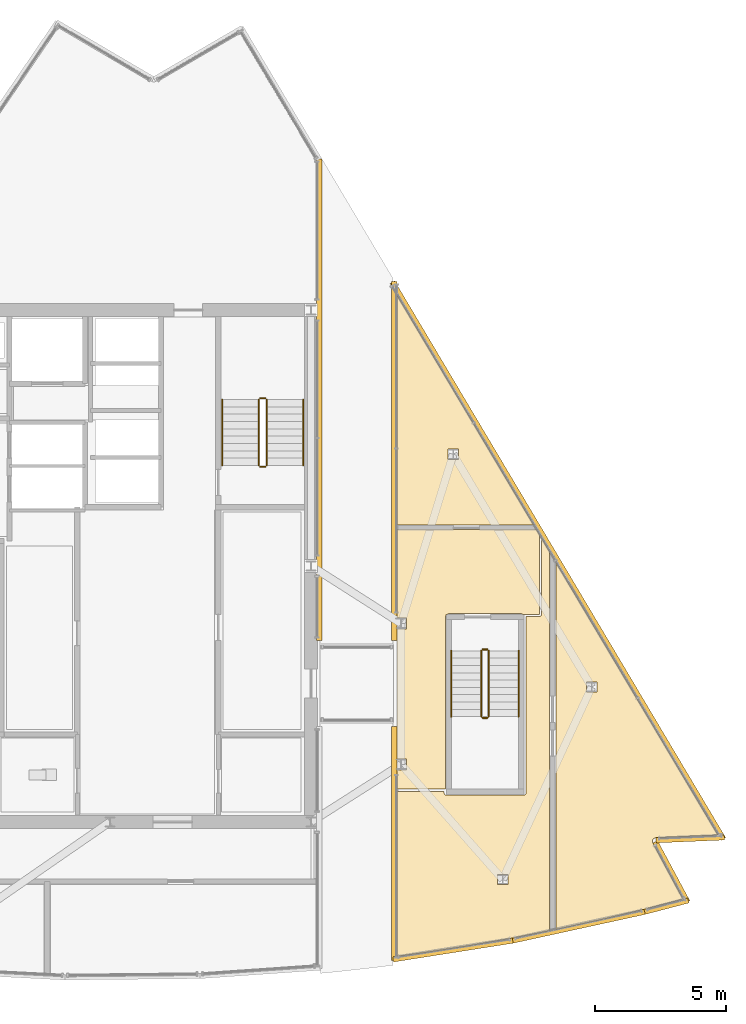
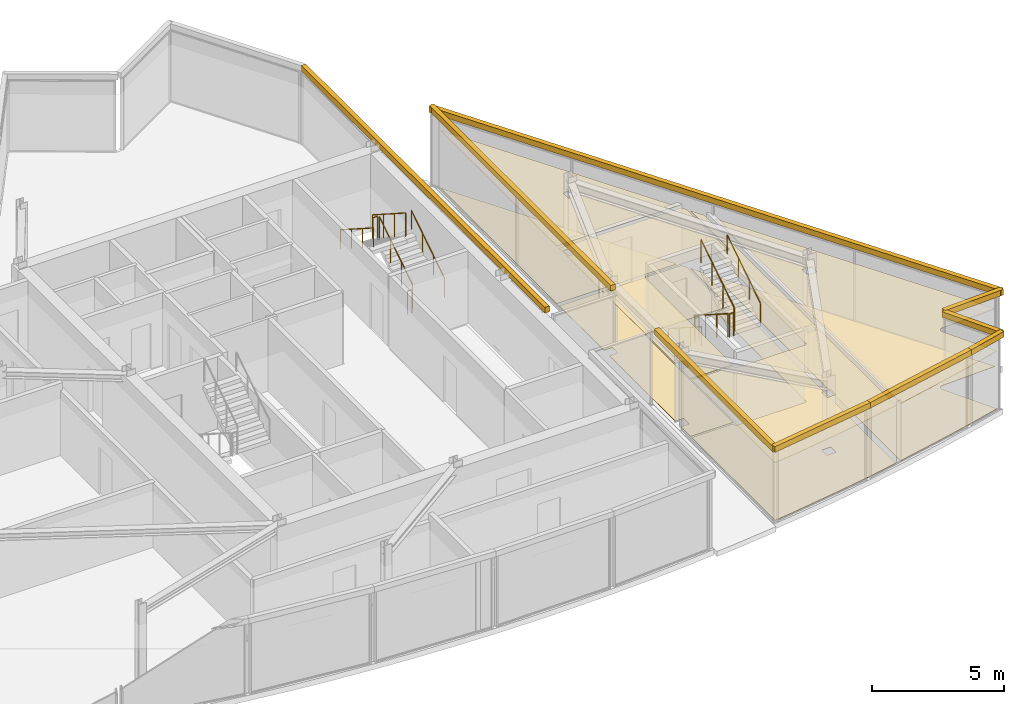
# One storey, part 13 of 15: 17 coverings, 12 railings.
"""IFC4 building model written with IfcOpenShell, lengths in metres."""

from ifc_helpers import new_model, si_unit, direction, frame, origin, origin_2d, place, context, subcontext, project, spatial, polyline, circle, outline, extrude, material, layer, layer_set, type_object, element, save


model = new_model("IFC4")

# Units and contexts
model_context = context("Model", 3, precision=1e-05, world=origin(), true_north=direction((0.0, 1.0)))
body_context = subcontext(model_context, "Body", "Model", "MODEL_VIEW")
ifc_project = project(units=[si_unit("LENGTHUNIT", "METRE"), si_unit("AREAUNIT", "SQUARE_METRE"), si_unit("VOLUMEUNIT", "CUBIC_METRE"), si_unit("PLANEANGLEUNIT", "RADIAN"), si_unit("MASSUNIT", "GRAM", prefix="KILO")], contexts=[model_context])

# Site, building, storey
site_placement = place(None, origin())
site = spatial("IfcSite", under=ifc_project, at=site_placement, CompositionType="ELEMENT")
building_placement = place(site_placement, origin())
building = spatial("IfcBuilding", under=site, at=building_placement, Name="Savorim Split Tower", CompositionType="ELEMENT")
storey_placement = place(building_placement, frame((0.0, 0.0, 297.60009765625)))
storey = spatial("IfcBuildingStorey", under=building, at=storey_placement, Name="Crown L79 Plant", CompositionType="ELEMENT", Elevation=297.60009765625)

# Coverings
ifc_material_1 = material(Name="Mineral Fibre Acoustic Ceiling")
ifc_layer_1 = layer(ifc_material_1, 0.02490234375)
ifc_layer_set_1 = layer_set([ifc_layer_1], Name="COV-CEIL-25")
covering_type_1 = type_object("IfcCoveringType", Name="COV-CEIL-25", PredefinedType="CEILING", material=ifc_layer_set_1)
covering_1_placement = place(storey_placement, frame((0.0, 0.0, 2.659912109375)))
element("IfcCovering", 1, at=covering_1_placement, inside=storey, type_object=covering_type_1, Name="Crown L79 Plant East Crown Plant Corridor Acoustic Ceiling", PredefinedType="CEILING", context=body_context, shape_type="SweptSolid", body=[
    extrude(outline(polyline([(11.360107421875, -7.409912109375), (10.989990234375, -7.409912109375), (10.989990234375, -8.14990234375), (12.840087890625, -8.14990234375), (12.840087890625, -1.60009765625), (12.8408203125, -1.58251953125), (12.843505859375, -1.56494140625), (12.847900390625, -1.547607421875), (12.853759765625, -1.531005859375), (12.860107421875, -1.517822265625), (12.860107421875, -1.449951171875), (12.920654296875, -1.449951171875), (12.93505859375, -1.44140625), (12.951171875, -1.43359375), (12.9677734375, -1.427734375), (12.98486328125, -1.423583984375), (13.00244140625, -1.4208984375), (13.02001953125, -1.419921875), (15.699951171875, -1.419921875), (15.717529296875, -1.4208984375), (15.735107421875, -1.423583984375), (15.752197265625, -1.427734375), (15.768798828125, -1.43359375), (15.784912109375, -1.44140625), (15.79931640625, -1.449951171875), (16.449951171875, -1.449951171875), (16.449951171875, 1.589599609375), (16.324951171875, 1.800048828125), (12.860107421875, 1.800048828125), (10.989990234375, 1.800048828125), (10.989990234375, -1.590087890625), (11.360107421875, -1.590087890625), (11.360107421875, -2.010009765625), (10.989990234375, -2.010009765625), (10.989990234375, -6.989990234375), (11.360107421875, -6.989990234375), (11.360107421875, -7.409912109375)])), origin(), (0.0, 0.0, 1.0), 0.02490234375),
])
covering_2_placement = place(storey_placement, frame((0.0, 0.0, 2.659912109375)))
element("IfcCovering", 2, at=covering_2_placement, inside=storey, type_object=covering_type_1, Name="Crown L79 Plant East Cooling Plant Room Acoustic Ceiling", PredefinedType="CEILING", context=body_context, shape_type="SweptSolid", body=[
    extrude(outline(polyline([(12.008544921875, -14.410400390625), (13.709716796875, -14.147216796875), (15.4052734375, -13.849365234375), (16.830078125, -13.56884765625), (16.830078125, 0.8076171875), (16.830078125, 0.927490234375), (16.84375, 0.927490234375), (16.530029296875, 1.455078125), (16.530029296875, -1.449951171875), (16.529541015625, -1.457763671875), (16.528564453125, -1.465576171875), (16.526611328125, -1.47314453125), (16.52392578125, -1.480712890625), (16.5205078125, -1.48779296875), (16.5166015625, -1.494384765625), (16.51171875, -1.500732421875), (16.506591796875, -1.506591796875), (16.500732421875, -1.51171875), (16.494384765625, -1.5166015625), (16.48779296875, -1.5205078125), (16.480712890625, -1.52392578125), (16.47314453125, -1.526611328125), (16.465576171875, -1.528564453125), (16.457763671875, -1.529541015625), (16.449951171875, -1.530029296875), (15.929931640625, -1.530029296875), (15.929931640625, -8.300048828125), (15.9296875, -8.307861328125), (15.928466796875, -8.315673828125), (15.926513671875, -8.3232421875), (15.923828125, -8.33056640625), (15.920654296875, -8.337646484375), (15.91650390625, -8.344482421875), (15.911865234375, -8.350830078125), (15.906494140625, -8.356689453125), (15.90087890625, -8.36181640625), (15.894287109375, -8.366455078125), (15.8876953125, -8.37060546875), (15.880615234375, -8.373779296875), (15.873291015625, -8.376708984375), (15.865478515625, -8.37841796875), (15.85791015625, -8.379638671875), (15.85009765625, -8.3798828125), (12.8798828125, -8.3798828125), (12.872314453125, -8.379638671875), (12.864501953125, -8.37841796875), (12.856689453125, -8.376708984375), (12.849365234375, -8.373779296875), (12.84228515625, -8.37060546875), (12.835693359375, -8.366455078125), (12.8291015625, -8.36181640625), (12.823486328125, -8.356689453125), (12.818115234375, -8.350830078125), (12.8134765625, -8.344482421875), (12.809326171875, -8.337646484375), (12.80615234375, -8.33056640625), (12.803466796875, -8.3232421875), (12.801513671875, -8.315673828125), (12.80029296875, -8.307861328125), (12.800048828125, -8.300048828125), (12.800048828125, -8.22998046875), (10.989990234375, -8.22998046875), (10.989990234375, -14.546630859375), (12.008544921875, -14.410400390625)]), holes=[polyline([(14.84228515625, -11.406494140625), (14.84228515625, -11.79638671875), (15.232177734375, -11.79638671875), (15.232177734375, -11.406494140625), (14.84228515625, -11.406494140625)])]), origin(), (0.0, 0.0, 1.0), 0.02490234375),
])
covering_3_placement = place(storey_placement, frame((0.0, 0.0, 2.659912109375)))
element("IfcCovering", 3, at=covering_3_placement, inside=storey, type_object=covering_type_1, Name="Crown L79 Plant East Heat Recovery AHU Plant Room Acoustic Ceiling", PredefinedType="CEILING", context=body_context, shape_type="SweptSolid", body=[
    extrude(outline(polyline([(20.87109375, -10.012939453125), (20.8837890625, -10.00927734375), (20.897216796875, -10.006591796875), (20.91064453125, -10.005615234375), (23.284912109375, -9.904541015625), (17.070068359375, 0.547119140625), (17.070068359375, -13.521484375), (17.09423828125, -13.516845703125), (18.77587890625, -13.14990234375), (20.449951171875, -12.74853515625), (21.944580078125, -12.357421875), (20.793212890625, -10.211669921875), (20.787353515625, -10.199462890625), (20.78271484375, -10.186767578125), (20.779296875, -10.173583984375), (20.77734375, -10.160400390625), (20.776611328125, -10.14697265625), (20.777099609375, -10.133544921875), (20.77880859375, -10.1201171875), (20.781982421875, -10.107177734375), (20.7861328125, -10.09423828125), (20.791748046875, -10.08203125), (20.79833984375, -10.0703125), (20.80615234375, -10.059326171875), (20.81494140625, -10.049072265625), (20.82470703125, -10.039794921875), (20.835205078125, -10.031494140625), (20.846435546875, -10.024169921875), (20.8583984375, -10.01806640625), (20.87109375, -10.012939453125)]), holes=[polyline([(18.250732421875, -4.044921875), (18.250732421875, -4.434814453125), (18.640625, -4.434814453125), (18.640625, -4.044921875), (18.250732421875, -4.044921875)])]), origin(), (0.0, 0.0, 1.0), 0.02490234375),
])
covering_4_placement = place(storey_placement, frame((0.0, 0.0, 2.659912109375)))
element("IfcCovering", 4, at=covering_4_placement, inside=storey, type_object=covering_type_1, Name="Crown L79 Plant East Cooling Plant Room Acoustic Ceiling", PredefinedType="CEILING", context=body_context, shape_type="SweptSolid", body=[
    extrude(outline(polyline([(10.989990234375, 10.77197265625), (10.989990234375, 1.969970703125), (16.223876953125, 1.969970703125), (10.989990234375, 10.77197265625)]), holes=[polyline([(12.94921875, 4.87060546875), (12.94921875, 4.480712890625), (13.33935546875, 4.480712890625), (13.33935546875, 4.87060546875), (12.94921875, 4.87060546875)])]), origin(), (0.0, 0.0, 1.0), 0.02490234375),
])
ifc_material_2 = material(Name="Terracotta Ceramic-Coated Aluminium Fin", Category="masonry")
ifc_layer_2 = layer(ifc_material_2, 0.050048828125)
ifc_layer_set_2 = layer_set([ifc_layer_2], Name="COV-CLAD-TERRA")
covering_type_2 = type_object("IfcCoveringType", Name="COV-CLAD-TERRA", PredefinedType="CLADDING", material=ifc_layer_set_2)
covering_5_placement = place(storey_placement, frame((0.0, 0.0, 3.33984375)))
element("IfcCovering", 5, at=covering_5_placement, inside=storey, type_object=covering_type_2, Name="Crown L79 Plant Sloped Crest Eave Spandrel W1", PredefinedType="CLADDING", context=body_context, shape_type="SweptSolid", body=[
    extrude(outline(polyline([(8.110107421875, -2.449951171875), (8.110107421875, 15.990234375), (7.909912109375, 15.990234375), (7.909912109375, -2.449951171875), (8.110107421875, -2.449951171875)])), origin(), (0.0, 0.0, 1.0), 0.260009765625),
])
covering_6_placement = place(storey_placement, frame((0.0, 0.0, 3.33984375)))
element("IfcCovering", 6, at=covering_6_placement, inside=storey, type_object=covering_type_2, Name="Crown L79 Plant Sloped Crest Eave Spandrel E1", PredefinedType="CLADDING", context=body_context, shape_type="SweptSolid", body=[
    extrude(outline(polyline([(10.7900390625, 11.281494140625), (10.7900390625, -2.449951171875), (10.989990234375, -2.449951171875), (10.989990234375, 11.281494140625), (10.7900390625, 11.281494140625)])), origin(), (0.0, 0.0, 1.0), 0.260009765625),
])
covering_7_placement = place(storey_placement, frame((0.0, 0.0, 3.33984375)))
element("IfcCovering", 7, at=covering_7_placement, inside=storey, type_object=covering_type_2, Name="Crown L79 Plant Sloped Crest Eave Spandrel E1", PredefinedType="CLADDING", context=body_context, shape_type="SweptSolid", body=[
    extrude(outline(polyline([(10.7900390625, -5.75), (10.7900390625, -14.706787109375), (10.989990234375, -14.706787109375), (10.989990234375, -5.75), (10.7900390625, -5.75)])), origin(), (0.0, 0.0, 1.0), 0.260009765625),
])
covering_8_placement = place(storey_placement, frame((0.0, 0.0, 3.33984375)))
element("IfcCovering", 8, at=covering_8_placement, inside=storey, type_object=covering_type_2, Name="Crown L79 Plant Sloped Crest Eave Spandrel E2", PredefinedType="CLADDING", context=body_context, shape_type="SweptSolid", body=[
    extrude(outline(polyline([(10.859375, -14.76611328125), (15.440185546875, -14.04638671875), (15.4091796875, -13.8486328125), (10.828369140625, -14.568359375), (10.859375, -14.76611328125)])), origin(), (0.0, 0.0, 1.0), 0.260009765625),
])
covering_9_placement = place(storey_placement, frame((0.0, 0.0, 3.33984375)))
element("IfcCovering", 9, at=covering_9_placement, inside=storey, type_object=covering_type_2, Name="Crown L79 Plant Sloped Crest Eave Spandrel E3", PredefinedType="CLADDING", context=body_context, shape_type="SweptSolid", body=[
    extrude(outline(polyline([(15.443603515625, -14.045654296875), (20.49658203125, -12.94287109375), (20.4541015625, -12.74755859375), (15.40087890625, -13.85009765625), (15.443603515625, -14.045654296875)])), origin(), (0.0, 0.0, 1.0), 0.260009765625),
])
covering_10_placement = place(storey_placement, frame((0.0, 0.0, 3.33984375)))
element("IfcCovering", 10, at=covering_10_placement, inside=storey, type_object=covering_type_2, Name="Crown L79 Plant Sloped Crest Eave Spandrel E4", PredefinedType="CLADDING", context=body_context, shape_type="SweptSolid", body=[
    extrude(outline(polyline([(20.4990234375, -12.9423828125), (22.167236328125, -12.506103515625), (22.11669921875, -12.3125), (20.448486328125, -12.748779296875), (20.4990234375, -12.9423828125)])), origin(), (0.0, 0.0, 1.0), 0.260009765625),
])
covering_11_placement = place(storey_placement, frame((0.0, 0.0, 3.33984375)))
element("IfcCovering", 11, at=covering_11_placement, inside=storey, type_object=covering_type_2, Name="Crown L79 Plant Sloped Crest Eave Spandrel E5", PredefinedType="CLADDING", context=body_context, shape_type="SweptSolid", body=[
    extrude(outline(polyline([(22.204833984375, -12.419677734375), (20.969482421875, -10.116943359375), (20.793212890625, -10.211669921875), (22.028564453125, -12.51416015625), (22.204833984375, -12.419677734375)])), origin(), (0.0, 0.0, 1.0), 0.260009765625),
])
covering_12_placement = place(storey_placement, frame((0.0, 0.0, 3.33984375)))
element("IfcCovering", 12, at=covering_12_placement, inside=storey, type_object=covering_type_2, Name="Crown L79 Plant Sloped Crest Eave Spandrel E6", PredefinedType="CLADDING", context=body_context, shape_type="SweptSolid", body=[
    extrude(outline(polyline([(20.9189453125, -10.205322265625), (23.52734375, -10.094482421875), (23.51904296875, -9.89453125), (20.91064453125, -10.005615234375), (20.9189453125, -10.205322265625)])), origin(), (0.0, 0.0, 1.0), 0.260009765625),
])
covering_13_placement = place(storey_placement, frame((0.0, 0.0, 3.33984375)))
element("IfcCovering", 13, at=covering_13_placement, inside=storey, type_object=covering_type_2, Name="Crown L79 Plant Sloped Crest Eave Spandrel E7", PredefinedType="CLADDING", context=body_context, shape_type="SweptSolid", body=[
    extrude(outline(polyline([(23.576416015625, -10.00390625), (10.901611328125, 11.31201171875), (10.729736328125, 11.209716796875), (23.404541015625, -10.106201171875), (23.576416015625, -10.00390625)])), origin(), (0.0, 0.0, 1.0), 0.260009765625),
])
ifc_material_3 = material(Name="Porcelain Stoneware Flooring", Category="masonry")
ifc_layer_3 = layer(ifc_material_3, 0.02001953125)
ifc_layer_set_3 = layer_set([ifc_layer_3], Name="COV-FLOR-20")
covering_type_3 = type_object("IfcCoveringType", Name="COV-FLOR-20", PredefinedType="FLOORING", material=ifc_layer_set_3)
covering_14_placement = place(storey_placement, origin())
element("IfcCovering", 14, at=covering_14_placement, inside=storey, type_object=covering_type_3, Name="Crown L79 Plant East Crown Plant Corridor Porcelain Flooring", PredefinedType="FLOORING", context=body_context, shape_type="SweptSolid", body=[
    extrude(outline(polyline([(11.360107421875, -7.409912109375), (10.989990234375, -7.409912109375), (10.989990234375, -8.14990234375), (12.840087890625, -8.14990234375), (12.840087890625, -1.60009765625), (12.8408203125, -1.58251953125), (12.843505859375, -1.56494140625), (12.847900390625, -1.547607421875), (12.853759765625, -1.531005859375), (12.860107421875, -1.517822265625), (12.860107421875, -1.449951171875), (12.920654296875, -1.449951171875), (12.93505859375, -1.44140625), (12.951171875, -1.43359375), (12.9677734375, -1.427734375), (12.98486328125, -1.423583984375), (13.00244140625, -1.4208984375), (13.02001953125, -1.419921875), (15.699951171875, -1.419921875), (15.717529296875, -1.4208984375), (15.735107421875, -1.423583984375), (15.752197265625, -1.427734375), (15.768798828125, -1.43359375), (15.784912109375, -1.44140625), (15.79931640625, -1.449951171875), (16.449951171875, -1.449951171875), (16.449951171875, 1.589599609375), (16.324951171875, 1.800048828125), (12.860107421875, 1.800048828125), (10.989990234375, 1.800048828125), (10.989990234375, -1.590087890625), (11.360107421875, -1.590087890625), (11.360107421875, -2.010009765625), (10.989990234375, -2.010009765625), (10.989990234375, -6.989990234375), (11.360107421875, -6.989990234375), (11.360107421875, -7.409912109375)])), origin(), (0.0, 0.0, 1.0), 0.02001953125),
])
covering_15_placement = place(storey_placement, origin())
element("IfcCovering", 15, at=covering_15_placement, inside=storey, type_object=covering_type_3, Name="Crown L79 Plant East Cooling Plant Room Porcelain Flooring", PredefinedType="FLOORING", context=body_context, shape_type="SweptSolid", body=[
    extrude(outline(polyline([(12.008544921875, -14.410400390625), (13.709716796875, -14.147216796875), (15.4052734375, -13.849365234375), (16.830078125, -13.56884765625), (16.830078125, 0.8076171875), (16.830078125, 0.927490234375), (16.84375, 0.927490234375), (16.530029296875, 1.455078125), (16.530029296875, -1.449951171875), (16.529541015625, -1.457763671875), (16.528564453125, -1.465576171875), (16.526611328125, -1.47314453125), (16.52392578125, -1.480712890625), (16.5205078125, -1.48779296875), (16.5166015625, -1.494384765625), (16.51171875, -1.500732421875), (16.506591796875, -1.506591796875), (16.500732421875, -1.51171875), (16.494384765625, -1.5166015625), (16.48779296875, -1.5205078125), (16.480712890625, -1.52392578125), (16.47314453125, -1.526611328125), (16.465576171875, -1.528564453125), (16.457763671875, -1.529541015625), (16.449951171875, -1.530029296875), (15.929931640625, -1.530029296875), (15.929931640625, -8.300048828125), (15.9296875, -8.307861328125), (15.928466796875, -8.315673828125), (15.926513671875, -8.3232421875), (15.923828125, -8.33056640625), (15.920654296875, -8.337646484375), (15.91650390625, -8.344482421875), (15.911865234375, -8.350830078125), (15.906494140625, -8.356689453125), (15.90087890625, -8.36181640625), (15.894287109375, -8.366455078125), (15.8876953125, -8.37060546875), (15.880615234375, -8.373779296875), (15.873291015625, -8.376708984375), (15.865478515625, -8.37841796875), (15.85791015625, -8.379638671875), (15.85009765625, -8.3798828125), (12.8798828125, -8.3798828125), (12.872314453125, -8.379638671875), (12.864501953125, -8.37841796875), (12.856689453125, -8.376708984375), (12.849365234375, -8.373779296875), (12.84228515625, -8.37060546875), (12.835693359375, -8.366455078125), (12.8291015625, -8.36181640625), (12.823486328125, -8.356689453125), (12.818115234375, -8.350830078125), (12.8134765625, -8.344482421875), (12.809326171875, -8.337646484375), (12.80615234375, -8.33056640625), (12.803466796875, -8.3232421875), (12.801513671875, -8.315673828125), (12.80029296875, -8.307861328125), (12.800048828125, -8.300048828125), (12.800048828125, -8.22998046875), (10.989990234375, -8.22998046875), (10.989990234375, -14.546630859375), (12.008544921875, -14.410400390625)]), holes=[polyline([(14.84228515625, -11.406494140625), (14.84228515625, -11.79638671875), (15.232177734375, -11.79638671875), (15.232177734375, -11.406494140625), (14.84228515625, -11.406494140625)])]), origin(), (0.0, 0.0, 1.0), 0.02001953125),
])
covering_16_placement = place(storey_placement, origin())
element("IfcCovering", 16, at=covering_16_placement, inside=storey, type_object=covering_type_3, Name="Crown L79 Plant East Heat Recovery AHU Plant Room Porcelain Flooring", PredefinedType="FLOORING", context=body_context, shape_type="SweptSolid", body=[
    extrude(outline(polyline([(20.87109375, -10.012939453125), (20.8837890625, -10.00927734375), (20.897216796875, -10.006591796875), (20.91064453125, -10.005615234375), (23.284912109375, -9.904541015625), (17.070068359375, 0.547119140625), (17.070068359375, -13.521484375), (17.09423828125, -13.516845703125), (18.77587890625, -13.14990234375), (20.449951171875, -12.74853515625), (21.944580078125, -12.357421875), (20.793212890625, -10.211669921875), (20.787353515625, -10.199462890625), (20.78271484375, -10.186767578125), (20.779296875, -10.173583984375), (20.77734375, -10.160400390625), (20.776611328125, -10.14697265625), (20.777099609375, -10.133544921875), (20.77880859375, -10.1201171875), (20.781982421875, -10.107177734375), (20.7861328125, -10.09423828125), (20.791748046875, -10.08203125), (20.79833984375, -10.0703125), (20.80615234375, -10.059326171875), (20.81494140625, -10.049072265625), (20.82470703125, -10.039794921875), (20.835205078125, -10.031494140625), (20.846435546875, -10.024169921875), (20.8583984375, -10.01806640625), (20.87109375, -10.012939453125)]), holes=[polyline([(18.250732421875, -4.044921875), (18.250732421875, -4.434814453125), (18.640625, -4.434814453125), (18.640625, -4.044921875), (18.250732421875, -4.044921875)])]), origin(), (0.0, 0.0, 1.0), 0.02001953125),
])
covering_17_placement = place(storey_placement, origin())
element("IfcCovering", 17, at=covering_17_placement, inside=storey, type_object=covering_type_3, Name="Crown L79 Plant East Cooling Plant Room Porcelain Flooring", PredefinedType="FLOORING", context=body_context, shape_type="SweptSolid", body=[
    extrude(outline(polyline([(10.989990234375, 10.77197265625), (10.989990234375, 1.969970703125), (16.223876953125, 1.969970703125), (10.989990234375, 10.77197265625)]), holes=[polyline([(12.94921875, 4.87060546875), (12.94921875, 4.480712890625), (13.33935546875, 4.480712890625), (13.33935546875, 4.87060546875), (12.94921875, 4.87060546875)])]), origin(), (0.0, 0.0, 1.0), 0.02001953125),
])

# Railings
ifc_material_4 = material(Name="Galvanised Painted Steel Balustrade", Category="steel")
railing_type_1 = type_object("IfcRailingType", Name="RLG-HR-900", PredefinedType="HANDRAIL", material=ifc_material_4)
railing_1_placement = place(storey_placement, frame((7.39990234375, 4.25, 0.179931640625)))
element("IfcRailing", 18, at=railing_1_placement, inside=storey, type_object=railing_type_1, Name="Crown L79 Plant ST-2 stair handrail 1", PredefinedType="HANDRAIL", context=body_context, shape_type="SweptSolid", body=[
    extrude(circle(Radius=0.02392578125, at=origin_2d()), frame((0.0, 0.0, 0.8759765625), z_axis=(0.0, 0.841199657755, 0.540724639528), x_axis=(-1.0, 0.0, 0.0)), (0.0, 0.0, 1.0), 2.995849609375),
    extrude(circle(Radius=0.02099609375, at=origin_2d()), origin(), (0.0, 0.0, 1.0), 0.851806640625),
    extrude(circle(Radius=0.02099609375, at=origin_2d()), frame((0.0, 0.840087890625, 0.5400390625)), (0.0, 0.0, 1.0), 0.851806640625),
    extrude(circle(Radius=0.02099609375, at=origin_2d()), frame((0.0, 1.679931640625, 1.079833984375)), (0.0, 0.0, 1.0), 0.851806640625),
    extrude(circle(Radius=0.02099609375, at=origin_2d()), frame((0.0, 2.52001953125, 1.619873046875)), (0.0, 0.0, 1.0), 0.851806640625),
])
for number, where, name in (
    (19, (4.300048828125, 6.77001953125, 1.97998046875), "Crown L79 Plant ST-2 stair handrail 2"),
    (20, (13.070068359375, -2.85009765625, 0.179931640625), "Crown L79 Plant ST-CRN-E stair handrail 1"),
):
    element("IfcRailing", number, at=place(storey_placement, frame(where)), inside=storey, type_object=railing_type_1, Name=name, PredefinedType="HANDRAIL", context=body_context, shape_type="SweptSolid", body=[
        extrude(circle(Radius=0.02392578125, at=origin_2d()), frame((0.0, 0.0, 0.8759765625), z_axis=(0.0, -0.841199657755, 0.540724639528), x_axis=(1.0, 0.0, 0.0)), (0.0, 0.0, 1.0), 2.995849609375),
        extrude(circle(Radius=0.02099609375, at=origin_2d()), origin(), (0.0, 0.0, 1.0), 0.851806640625),
        extrude(circle(Radius=0.02099609375, at=origin_2d()), frame((0.0, -0.840087890625, 0.5400390625)), (0.0, 0.0, 1.0), 0.851806640625),
        extrude(circle(Radius=0.02099609375, at=origin_2d()), frame((0.0, -1.679931640625, 1.079833984375)), (0.0, 0.0, 1.0), 0.851806640625),
        extrude(circle(Radius=0.02099609375, at=origin_2d()), frame((0.0, -2.52001953125, 1.619873046875)), (0.0, 0.0, 1.0), 0.851806640625),
    ])
railing_2_placement = place(storey_placement, frame((15.64990234375, -5.3701171875, 1.97998046875)))
element("IfcRailing", 21, at=railing_2_placement, inside=storey, type_object=railing_type_1, Name="Crown L79 Plant ST-CRN-E stair handrail 2", PredefinedType="HANDRAIL", context=body_context, shape_type="SweptSolid", body=[
    extrude(circle(Radius=0.02392578125, at=origin_2d()), frame((0.0, 0.0, 0.8759765625), z_axis=(0.0, 0.841199657755, 0.540724639528), x_axis=(-1.0, 0.0, 0.0)), (0.0, 0.0, 1.0), 2.995849609375),
    extrude(circle(Radius=0.02099609375, at=origin_2d()), origin(), (0.0, 0.0, 1.0), 0.851806640625),
    extrude(circle(Radius=0.02099609375, at=origin_2d()), frame((0.0, 0.840087890625, 0.5400390625)), (0.0, 0.0, 1.0), 0.851806640625),
    extrude(circle(Radius=0.02099609375, at=origin_2d()), frame((0.0, 1.679931640625, 1.079833984375)), (0.0, 0.0, 1.0), 0.851806640625),
    extrude(circle(Radius=0.02099609375, at=origin_2d()), frame((0.0, 2.52001953125, 1.619873046875)), (0.0, 0.0, 1.0), 0.851806640625),
])
railing_type_2 = type_object("IfcRailingType", Name="RLG-STG-1100", PredefinedType="BALUSTRADE", material=ifc_material_4)
railing_3_placement = place(storey_placement, frame((6.0, 4.25, 0.179931640625)))
element("IfcRailing", 22, at=railing_3_placement, inside=storey, type_object=railing_type_2, Name="Crown L79 Plant ST-2 stair guard 1", PredefinedType="BALUSTRADE", context=body_context, shape_type="SweptSolid", body=[
    extrude(circle(Radius=0.02392578125, at=origin_2d()), frame((0.0, 0.0, 1.076171875), z_axis=(0.0, 0.841199657755, 0.540724639528), x_axis=(-1.0, 0.0, 0.0)), (0.0, 0.0, 1.0), 2.995849609375),
    extrude(circle(Radius=0.02099609375, at=origin_2d()), origin(), (0.0, 0.0, 1.0), 1.052001953125),
    extrude(circle(Radius=0.02099609375, at=origin_2d()), frame((0.0, 0.840087890625, 0.5400390625)), (0.0, 0.0, 1.0), 1.052001953125),
    extrude(circle(Radius=0.02099609375, at=origin_2d()), frame((0.0, 1.679931640625, 1.079833984375)), (0.0, 0.0, 1.0), 1.052001953125),
    extrude(circle(Radius=0.02099609375, at=origin_2d()), frame((0.0, 2.52001953125, 1.619873046875)), (0.0, 0.0, 1.0), 1.052001953125),
])
railing_4_placement = place(storey_placement, frame((5.949951171875, 6.820068359375, 1.7998046875)))
element("IfcRailing", 23, at=railing_4_placement, inside=storey, type_object=railing_type_2, Name="Crown L79 Plant ST-2 stair guard 2", PredefinedType="BALUSTRADE", context=body_context, shape_type="SweptSolid", body=[
    extrude(circle(Radius=0.02392578125, at=origin_2d()), frame((0.0, 0.0, 1.076171875), z_axis=(-1.0, 0.0, 0.0), x_axis=(0.0, -1.0, 0.0)), (0.0, 0.0, 1.0), 0.199951171875),
    extrude(circle(Radius=0.02099609375, at=origin_2d()), origin(), (0.0, 0.0, 1.0), 1.052001953125),
    extrude(circle(Radius=0.02099609375, at=origin_2d()), frame((-0.199951171875, 0.0, 0.0)), (0.0, 0.0, 1.0), 1.052001953125),
])
railing_5_placement = place(storey_placement, frame((5.699951171875, 6.77001953125, 1.97998046875)))
element("IfcRailing", 24, at=railing_5_placement, inside=storey, type_object=railing_type_2, Name="Crown L79 Plant ST-2 stair guard 3", PredefinedType="BALUSTRADE", context=body_context, shape_type="SweptSolid", body=[
    extrude(circle(Radius=0.02392578125, at=origin_2d()), frame((0.0, 0.0, 1.076171875), z_axis=(0.0, -0.841199657755, 0.540724639528), x_axis=(1.0, 0.0, 0.0)), (0.0, 0.0, 1.0), 2.995849609375),
    extrude(circle(Radius=0.02099609375, at=origin_2d()), origin(), (0.0, 0.0, 1.0), 1.052001953125),
    extrude(circle(Radius=0.02099609375, at=origin_2d()), frame((0.0, -0.840087890625, 0.5400390625)), (0.0, 0.0, 1.0), 1.052001953125),
    extrude(circle(Radius=0.02099609375, at=origin_2d()), frame((0.0, -1.679931640625, 1.079833984375)), (0.0, 0.0, 1.0), 1.052001953125),
    extrude(circle(Radius=0.02099609375, at=origin_2d()), frame((0.0, -2.52001953125, 1.619873046875)), (0.0, 0.0, 1.0), 1.052001953125),
])
railing_6_placement = place(storey_placement, frame((5.949951171875, 4.199951171875, 0.0)))
element("IfcRailing", 25, at=railing_6_placement, inside=storey, type_object=railing_type_2, Name="Crown L79 Plant ST-2 stair guard 4", PredefinedType="BALUSTRADE", context=body_context, shape_type="SweptSolid", body=[
    extrude(circle(Radius=0.02392578125, at=origin_2d()), frame((0.0, 0.0, 1.076171875), z_axis=(-1.0, 0.0, 0.0), x_axis=(0.0, -1.0, 0.0)), (0.0, 0.0, 1.0), 0.199951171875),
    extrude(circle(Radius=0.02099609375, at=origin_2d()), origin(), (0.0, 0.0, 1.0), 1.052001953125),
    extrude(circle(Radius=0.02099609375, at=origin_2d()), frame((-0.199951171875, 0.0, 0.0)), (0.0, 0.0, 1.0), 1.052001953125),
])
railing_7_placement = place(storey_placement, frame((14.219970703125, -2.85009765625, 0.179931640625)))
element("IfcRailing", 26, at=railing_7_placement, inside=storey, type_object=railing_type_2, Name="Crown L79 Plant ST-CRN-E stair guard 1", PredefinedType="BALUSTRADE", context=body_context, shape_type="SweptSolid", body=[
    extrude(circle(Radius=0.02392578125, at=origin_2d()), frame((0.0, 0.0, 1.076171875), z_axis=(0.0, -0.841199657755, 0.540724639528), x_axis=(1.0, 0.0, 0.0)), (0.0, 0.0, 1.0), 2.995849609375),
    extrude(circle(Radius=0.02099609375, at=origin_2d()), origin(), (0.0, 0.0, 1.0), 1.052001953125),
    extrude(circle(Radius=0.02099609375, at=origin_2d()), frame((0.0, -0.840087890625, 0.5400390625)), (0.0, 0.0, 1.0), 1.052001953125),
    extrude(circle(Radius=0.02099609375, at=origin_2d()), frame((0.0, -1.679931640625, 1.079833984375)), (0.0, 0.0, 1.0), 1.052001953125),
    extrude(circle(Radius=0.02099609375, at=origin_2d()), frame((0.0, -2.52001953125, 1.619873046875)), (0.0, 0.0, 1.0), 1.052001953125),
])
railing_8_placement = place(storey_placement, frame((14.27001953125, -5.419921875, 1.7998046875)))
element("IfcRailing", 27, at=railing_8_placement, inside=storey, type_object=railing_type_2, Name="Crown L79 Plant ST-CRN-E stair guard 2", PredefinedType="BALUSTRADE", context=body_context, shape_type="SweptSolid", body=[
    extrude(circle(Radius=0.02392578125, at=origin_2d()), frame((0.0, 0.0, 1.076171875), z_axis=(1.0, 0.0, 0.0), x_axis=(0.0, 1.0, 0.0)), (0.0, 0.0, 1.0), 0.179931640625),
    extrude(circle(Radius=0.02099609375, at=origin_2d()), origin(), (0.0, 0.0, 1.0), 1.052001953125),
    extrude(circle(Radius=0.02099609375, at=origin_2d()), frame((0.179931640625, 0.0, 0.0)), (0.0, 0.0, 1.0), 1.052001953125),
])
railing_9_placement = place(storey_placement, frame((14.5, -5.3701171875, 1.97998046875)))
element("IfcRailing", 28, at=railing_9_placement, inside=storey, type_object=railing_type_2, Name="Crown L79 Plant ST-CRN-E stair guard 3", PredefinedType="BALUSTRADE", context=body_context, shape_type="SweptSolid", body=[
    extrude(circle(Radius=0.02392578125, at=origin_2d()), frame((0.0, 0.0, 1.076171875), z_axis=(0.0, 0.841199657755, 0.540724639528), x_axis=(-1.0, 0.0, 0.0)), (0.0, 0.0, 1.0), 2.995849609375),
    extrude(circle(Radius=0.02099609375, at=origin_2d()), origin(), (0.0, 0.0, 1.0), 1.052001953125),
    extrude(circle(Radius=0.02099609375, at=origin_2d()), frame((0.0, 0.840087890625, 0.5400390625)), (0.0, 0.0, 1.0), 1.052001953125),
    extrude(circle(Radius=0.02099609375, at=origin_2d()), frame((0.0, 1.679931640625, 1.079833984375)), (0.0, 0.0, 1.0), 1.052001953125),
    extrude(circle(Radius=0.02099609375, at=origin_2d()), frame((0.0, 2.52001953125, 1.619873046875)), (0.0, 0.0, 1.0), 1.052001953125),
])
railing_10_placement = place(storey_placement, frame((14.27001953125, -2.800048828125, 0.0)))
element("IfcRailing", 29, at=railing_10_placement, inside=storey, type_object=railing_type_2, Name="Crown L79 Plant ST-CRN-E stair guard 4", PredefinedType="BALUSTRADE", context=body_context, shape_type="SweptSolid", body=[
    extrude(circle(Radius=0.02392578125, at=origin_2d()), frame((0.0, 0.0, 1.076171875), z_axis=(1.0, 0.0, 0.0), x_axis=(0.0, 1.0, 0.0)), (0.0, 0.0, 1.0), 0.179931640625),
    extrude(circle(Radius=0.02099609375, at=origin_2d()), origin(), (0.0, 0.0, 1.0), 1.052001953125),
    extrude(circle(Radius=0.02099609375, at=origin_2d()), frame((0.179931640625, 0.0, 0.0)), (0.0, 0.0, 1.0), 1.052001953125),
])

save(model, "model.ifc")
